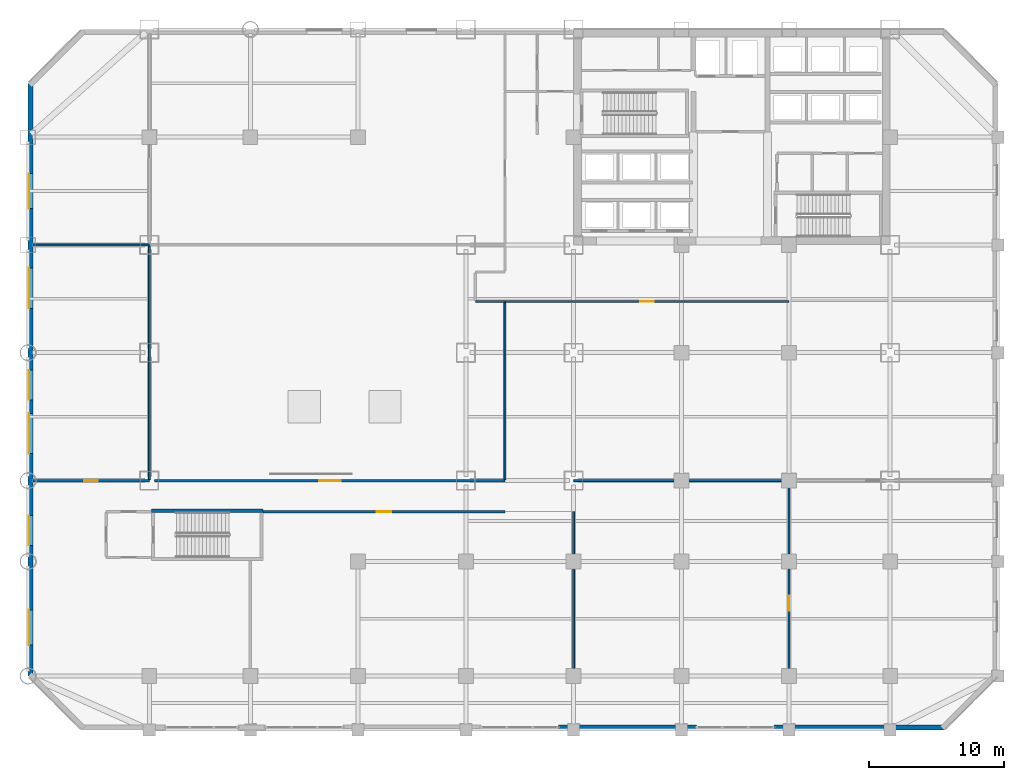
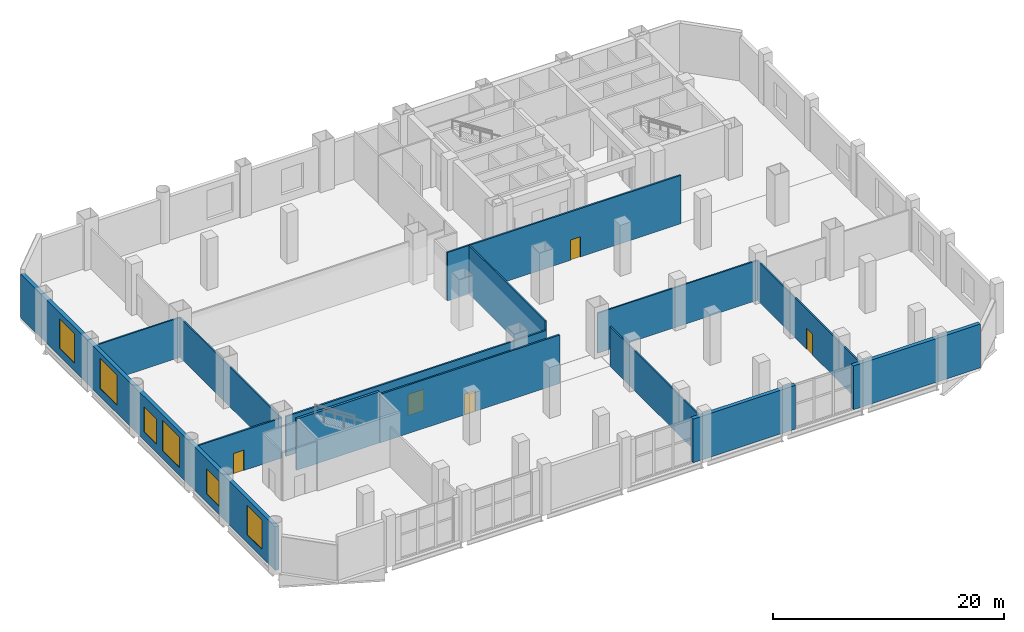
# One storey, part 11 of 18: 15 walls, 6 windows, 5 doors, 11 openings.
"""IFC4 building model written with IfcOpenShell, lengths in metres."""

from ifc_helpers import new_model, si_unit, direction, frame, frame_2d, origin, place, context, subcontext, project, spatial, rectangle, extrude, material, layer, layer_set, type_object, element, fill, save


model = new_model("IFC4")

# Units and contexts
model_context = context("Model", 3, precision=1e-05, world=origin(), true_north=direction((0.0, 1.0)))
body_context = subcontext(model_context, "Body", "Model", "MODEL_VIEW")
ifc_project = project(units=[si_unit("LENGTHUNIT", "METRE"), si_unit("AREAUNIT", "SQUARE_METRE"), si_unit("VOLUMEUNIT", "CUBIC_METRE"), si_unit("PLANEANGLEUNIT", "RADIAN"), si_unit("MASSUNIT", "GRAM", prefix="KILO")], contexts=[model_context])

# Site, building, storey
site_placement = place(None, origin())
site = spatial("IfcSite", under=ifc_project, at=site_placement, CompositionType="ELEMENT")
building_placement = place(site_placement, origin())
building = spatial("IfcBuilding", under=site, at=building_placement, Name="Qianrong Seaharbour Tower", CompositionType="ELEMENT")
storey_placement = place(building_placement, frame((0.0, 0.0, 6.0)))
storey = spatial("IfcBuildingStorey", under=building, at=storey_placement, Name="L02", CompositionType="ELEMENT", Elevation=6.0)

# Wall
ifc_material_1 = material(Name="Fire-rated acoustic gypsum board partition")
ifc_layer_1 = layer(ifc_material_1, 0.1650390625)
ifc_layer_set_1 = layer_set([ifc_layer_1], Name="Fire-rated acoustic gypsum board partition")
wall_type_1 = type_object("IfcWallType", Name="WALL-CORR-PART-165", PredefinedType="PARTITIONING", material=ifc_layer_set_1)
wall_1_placement = place(storey_placement, frame((35.39990234375, 31.800048828125, 0.0), z_axis=(0.0, 0.0, 1.0), x_axis=(-1.0, 0.0, 0.0)))
element("IfcWall", 1, at=wall_1_placement, inside=storey, type_object=wall_type_1, Name="L02 Interior Partition Wall 019", PredefinedType="PARTITIONING", context=body_context, shape_type="SweptSolid", body=[
    extrude(rectangle(XDim=2.199951171875, YDim=0.1650390625, at=frame_2d((1.10009765625, 0.0))), origin(), (0.0, 0.0, 1.0), 5.1201171875),
])

# Wall, opening, door
wall_2_placement = place(storey_placement, frame((56.5, 31.800048828125, 0.0), z_axis=(0.0, 0.0, 1.0), x_axis=(-1.0, 0.0, 0.0)))
wall_2 = element("IfcWall", 2, at=wall_2_placement, inside=storey, type_object=wall_type_1, Name="L02 Interior Partition Wall 022", PredefinedType="PARTITIONING", context=body_context, shape_type="SweptSolid", body=[
    extrude(rectangle(XDim=21.10009765625, YDim=0.1650390625, at=frame_2d((10.550048828125, 0.0))), origin(), (0.0, 0.0, 1.0), 5.1201171875),
])
opening_1_placement = place(wall_2_placement, frame((10.050048828125, 0.0, 0.0)))
opening_1 = element("IfcOpeningElement", 3, at=opening_1_placement, cuts=wall_2, Name="Opening DO-01", PredefinedType="OPENING", context=body_context, shape_type="SweptSolid", body=[
    extrude(rectangle(XDim=1.0, YDim=2.14990234375, at=frame_2d((0.5, 1.074951171875))), frame((0.0, 0.092529296875, 0.0), z_axis=(0.0, -1.0, 0.0), x_axis=(1.0, 0.0, 0.0)), (0.0, 0.0, 1.0), 0.18505859375),
])
ifc_material_2 = material(Name="Acoustic timber and galvanized steel fire door assembly", Category="steel")
door_type_1 = type_object("IfcDoorType", Name="DOOR-OFFICE-1000x2150", OperationType="NOTDEFINED", PredefinedType="DOOR", material=ifc_material_2)
door_1_placement = place(opening_1_placement, origin())
door_1 = element("IfcDoor", 4, at=door_1_placement, inside=storey, type_object=door_type_1, Name="L02 Harbour View Client Lounge Door", OperationType="SINGLE_SWING_RIGHT", OverallHeight=2.14990234375, OverallWidth=1.0, PredefinedType="DOOR", context=body_context, shape_type="SweptSolid", body=[
    extrude(rectangle(XDim=1.0, YDim=2.14990234375, at=frame_2d((0.5, 1.074951171875))), frame((0.0, 0.02490234375, 0.0), z_axis=(0.0, -1.0, 0.0), x_axis=(1.0, 0.0, 0.0)), (0.0, 0.0, 1.0), 0.050048828125),
])
fill(opening_1, door_1)

wall_3_placement = place(storey_placement, frame((9.39990234375, 18.5, 0.0), z_axis=(0.0, 0.0, 1.0), x_axis=(1.0, 0.0, 0.0)))
wall_3 = element("IfcWall", 5, at=wall_3_placement, inside=storey, type_object=wall_type_1, Name="L02 Interior Partition Wall 025", PredefinedType="PARTITIONING", context=body_context, shape_type="SweptSolid", body=[
    extrude(rectangle(XDim=26.0, YDim=0.1650390625, at=frame_2d((13.0, 0.0))), origin(), (0.0, 0.0, 1.0), 4.2119140625),
])
opening_2_placement = place(wall_3_placement, frame((12.199951171875, 0.0, 0.0)))
opening_2 = element("IfcOpeningElement", 6, at=opening_2_placement, cuts=wall_3, Name="Opening DL-01", PredefinedType="OPENING", context=body_context, shape_type="SweptSolid", body=[
    extrude(rectangle(XDim=1.60009765625, YDim=2.25, at=frame_2d((0.800048828125, 1.125))), frame((0.0, 0.092529296875, 0.0), z_axis=(0.0, -1.0, 0.0), x_axis=(1.0, 0.0, 0.0)), (0.0, 0.0, 1.0), 0.18505859375),
])
door_type_2 = type_object("IfcDoorType", Name="DOOR-LOBBY-PAIR-1600x2250", OperationType="DOUBLE_DOOR_SINGLE_SWING", PredefinedType="DOOR", material=ifc_material_2)
door_2_placement = place(opening_2_placement, origin())
door_2 = element("IfcDoor", 7, at=door_2_placement, inside=storey, type_object=door_type_2, Name="L02 Harbourside Cafe Door", OperationType="DOUBLE_DOOR_SINGLE_SWING", OverallHeight=2.25, OverallWidth=1.60009765625, PredefinedType="DOOR", context=body_context, shape_type="SweptSolid", body=[
    extrude(rectangle(XDim=1.60009765625, YDim=2.25, at=frame_2d((0.800048828125, 1.125))), frame((0.0, 0.02490234375, 0.0), z_axis=(0.0, -1.0, 0.0), x_axis=(1.0, 0.0, 0.0)), (0.0, 0.0, 1.0), 0.050048828125),
])
fill(opening_2, door_2)

wall_4_placement = place(storey_placement, frame((35.39990234375, 16.199951171875, 0.0), z_axis=(0.0, 0.0, 1.0), x_axis=(-1.0, 0.0, 0.0)))
wall_4 = element("IfcWall", 8, at=wall_4_placement, inside=storey, type_object=wall_type_1, Name="L02 Interior Partition Wall 026", PredefinedType="PARTITIONING", context=body_context, shape_type="SweptSolid", body=[
    extrude(rectangle(XDim=17.9599609375, YDim=0.1650390625, at=frame_2d((8.97998046875, 0.0))), origin(), (0.0, 0.0, 1.0), 5.1201171875),
])
opening_3_placement = place(wall_4_placement, frame((8.429931640625, 0.0, 0.0)))
opening_3 = element("IfcOpeningElement", 9, at=opening_3_placement, cuts=wall_4, Name="Opening DM-01", PredefinedType="OPENING", context=body_context, shape_type="SweptSolid", body=[
    extrude(rectangle(XDim=1.10009765625, YDim=2.199951171875, at=frame_2d((0.550048828125, 1.10009765625))), frame((0.0, 0.092529296875, 0.0), z_axis=(0.0, -1.0, 0.0), x_axis=(1.0, 0.0, 0.0)), (0.0, 0.0, 1.0), 0.18505859375),
])
door_type_3 = type_object("IfcDoorType", Name="DOOR-MEET-1100x2200", OperationType="NOTDEFINED", PredefinedType="DOOR", material=ifc_material_2)
door_3_placement = place(opening_3_placement, origin())
door_3 = element("IfcDoor", 10, at=door_3_placement, inside=storey, type_object=door_type_3, Name="L02 Maritime Conference Room Door", OperationType="SINGLE_SWING_LEFT", OverallHeight=2.199951171875, OverallWidth=1.10009765625, PredefinedType="DOOR", context=body_context, shape_type="SweptSolid", body=[
    extrude(rectangle(XDim=1.10009765625, YDim=2.199951171875, at=frame_2d((0.550048828125, 1.10009765625))), frame((0.0, 0.02490234375, 0.0), z_axis=(0.0, -1.0, 0.0), x_axis=(1.0, 0.0, 0.0)), (0.0, 0.0, 1.0), 0.050048828125),
])
fill(opening_3, door_3)

wall_5_placement = place(storey_placement, frame((9.0, 18.5, 0.0), z_axis=(0.0, 0.0, 1.0), x_axis=(-1.0, 0.0, 0.0)))
wall_5 = element("IfcWall", 11, at=wall_5_placement, inside=storey, type_object=wall_type_1, Name="L02 Interior Partition Wall 031", PredefinedType="PARTITIONING", context=body_context, shape_type="SweptSolid", body=[
    extrude(rectangle(XDim=8.6279296875, YDim=0.1650390625, at=frame_2d((4.31396484375, 0.0))), origin(), (0.0, 0.0, 1.0), 4.2119140625),
])
opening_4_placement = place(wall_5_placement, frame((3.81396484375, 0.0, 0.0)))
opening_4 = element("IfcOpeningElement", 12, at=opening_4_placement, cuts=wall_5, Name="Opening DO-01", PredefinedType="OPENING", context=body_context, shape_type="SweptSolid", body=[
    extrude(rectangle(XDim=1.0, YDim=2.14990234375, at=frame_2d((0.5, 1.074951171875))), frame((0.0, 0.092529296875, 0.0), z_axis=(0.0, -1.0, 0.0), x_axis=(1.0, 0.0, 0.0)), (0.0, 0.0, 1.0), 0.18505859375),
])
door_4_placement = place(opening_4_placement, origin())
door_4 = element("IfcDoor", 13, at=door_4_placement, inside=storey, type_object=door_type_1, Name="L02 Cafe Servery Kitchen Door", OperationType="SINGLE_SWING_RIGHT", OverallHeight=2.14990234375, OverallWidth=1.0, PredefinedType="DOOR", context=body_context, shape_type="SweptSolid", body=[
    extrude(rectangle(XDim=1.0, YDim=2.14990234375, at=frame_2d((0.5, 1.074951171875))), frame((0.0, 0.02490234375, 0.0), z_axis=(0.0, -1.0, 0.0), x_axis=(1.0, 0.0, 0.0)), (0.0, 0.0, 1.0), 0.050048828125),
])
fill(opening_4, door_4)

# Wall, openings, windows
ifc_material_3 = material(Name="Natural honed granite dimension stone", Category="masonry")
ifc_layer_2 = layer(ifc_material_3, 0.3798828125)
ifc_layer_set_2 = layer_set([ifc_layer_2], Name="Natural honed granite dimension stone")
wall_type_2 = type_object("IfcWallType", Name="WALL-EXT-GRANITE-380", PredefinedType="SOLIDWALL", material=ifc_layer_set_2)
wall_6_placement = place(storey_placement, frame((0.18994140625, 4.0, 0.0), z_axis=(0.0, 0.0, 1.0), x_axis=(0.0, 1.0, 0.0)))
wall_6 = element("IfcWall", 14, at=wall_6_placement, inside=storey, type_object=wall_type_2, Name="L02 Exterior Masonry Facade Wall WEST_TIP", PredefinedType="SOLIDWALL", context=body_context, shape_type="SweptSolid", body=[
    extrude(rectangle(XDim=44.0, YDim=0.3798828125, at=frame_2d((22.0, 0.0))), origin(), (0.0, 0.0, 1.0), 4.6201171875),
])
opening_5_placement = place(wall_6_placement, frame((2.300048828125, 0.0, 0.85009765625)))
opening_5 = element("IfcOpeningElement", 15, at=opening_5_placement, cuts=wall_6, Name="Opening WN-11", PredefinedType="OPENING", context=body_context, shape_type="SweptSolid", body=[
    extrude(rectangle(XDim=2.60009765625, YDim=3.10009765625, at=frame_2d((1.300048828125, 1.550048828125))), frame((0.0, 0.199951171875, 0.0), z_axis=(0.0, -1.0, 0.0), x_axis=(1.0, 0.0, 0.0)), (0.0, 0.0, 1.0), 0.39990234375),
])
opening_6_placement = place(wall_6_placement, frame((9.699951171875, 0.0, 0.89990234375)))
opening_6 = element("IfcOpeningElement", 16, at=opening_6_placement, cuts=wall_6, Name="Opening WN-10", PredefinedType="OPENING", context=body_context, shape_type="SweptSolid", body=[
    extrude(rectangle(XDim=2.199951171875, YDim=2.64990234375, at=frame_2d((1.10009765625, 1.324951171875))), frame((0.0, 0.199951171875, 0.0), z_axis=(0.0, -1.0, 0.0), x_axis=(1.0, 0.0, 0.0)), (0.0, 0.0, 1.0), 0.39990234375),
])
opening_7_placement = place(wall_6_placement, frame((16.5, 0.0, 0.85009765625)))
opening_7 = element("IfcOpeningElement", 17, at=opening_7_placement, cuts=wall_6, Name="Opening WN-12", PredefinedType="OPENING", context=body_context, shape_type="SweptSolid", body=[
    extrude(rectangle(XDim=3.0, YDim=3.199951171875, at=frame_2d((1.5, 1.60009765625))), frame((0.0, 0.199951171875, 0.0), z_axis=(0.0, -1.0, 0.0), x_axis=(1.0, 0.0, 0.0)), (0.0, 0.0, 1.0), 0.39990234375),
])
opening_8_placement = place(wall_6_placement, frame((20.5, 0.0, 0.89990234375)))
opening_8 = element("IfcOpeningElement", 18, at=opening_8_placement, cuts=wall_6, Name="Opening WN-10", PredefinedType="OPENING", context=body_context, shape_type="SweptSolid", body=[
    extrude(rectangle(XDim=2.199951171875, YDim=2.64990234375, at=frame_2d((1.10009765625, 1.324951171875))), frame((0.0, 0.199951171875, 0.0), z_axis=(0.0, -1.0, 0.0), x_axis=(1.0, 0.0, 0.0)), (0.0, 0.0, 1.0), 0.39990234375),
])
opening_9_placement = place(wall_6_placement, frame((27.300048828125, 0.0, 0.85009765625)))
opening_9 = element("IfcOpeningElement", 19, at=opening_9_placement, cuts=wall_6, Name="Opening WN-12", PredefinedType="OPENING", context=body_context, shape_type="SweptSolid", body=[
    extrude(rectangle(XDim=3.0, YDim=3.199951171875, at=frame_2d((1.5, 1.60009765625))), frame((0.0, 0.199951171875, 0.0), z_axis=(0.0, -1.0, 0.0), x_axis=(1.0, 0.0, 0.0)), (0.0, 0.0, 1.0), 0.39990234375),
])
opening_10_placement = place(wall_6_placement, frame((34.699951171875, 0.0, 0.85009765625)))
opening_10 = element("IfcOpeningElement", 20, at=opening_10_placement, cuts=wall_6, Name="Opening WN-11", PredefinedType="OPENING", context=body_context, shape_type="SweptSolid", body=[
    extrude(rectangle(XDim=2.60009765625, YDim=3.10009765625, at=frame_2d((1.300048828125, 1.550048828125))), frame((0.0, 0.199951171875, 0.0), z_axis=(0.0, -1.0, 0.0), x_axis=(1.0, 0.0, 0.0)), (0.0, 0.0, 1.0), 0.39990234375),
])
ifc_material_4 = material(Name="Insulated low-e double glazing in thermally broken aluminium 6063-T6 frame", Category="aluminium")
window_type_1 = type_object("IfcWindowType", Name="WIN-POD-2600x3100", PartitioningType="TRIPLE_PANEL_VERTICAL", PredefinedType="WINDOW", material=ifc_material_4)
window_1_placement = place(opening_5_placement, origin())
window_1 = element("IfcWindow", 21, at=window_1_placement, inside=storey, type_object=window_type_1, Name="L02 Deep-Set Punched Window 00.01", OverallHeight=3.10009765625, OverallWidth=2.60009765625, PartitioningType="TRIPLE_PANEL_VERTICAL", PredefinedType="WINDOW", context=body_context, shape_type="SweptSolid", body=[
    extrude(rectangle(XDim=2.60009765625, YDim=3.10009765625, at=frame_2d((1.300048828125, 1.550048828125))), frame((0.0, 0.150146484375, 0.0), z_axis=(0.0, -1.0, 0.0), x_axis=(1.0, 0.0, 0.0)), (0.0, 0.0, 1.0), 0.06005859375),
])
fill(opening_5, window_1)
window_2_placement = place(opening_10_placement, origin())
window_2 = element("IfcWindow", 22, at=window_2_placement, inside=storey, type_object=window_type_1, Name="L02 Deep-Set Punched Window 00.10", OverallHeight=3.10009765625, OverallWidth=2.60009765625, PartitioningType="TRIPLE_PANEL_VERTICAL", PredefinedType="WINDOW", context=body_context, shape_type="SweptSolid", body=[
    extrude(rectangle(XDim=2.60009765625, YDim=3.10009765625, at=frame_2d((1.300048828125, 1.550048828125))), frame((0.0, 0.150146484375, 0.0), z_axis=(0.0, -1.0, 0.0), x_axis=(1.0, 0.0, 0.0)), (0.0, 0.0, 1.0), 0.06005859375),
])
fill(opening_10, window_2)
window_type_2 = type_object("IfcWindowType", Name="WIN-POD-3000x3200", PartitioningType="TRIPLE_PANEL_VERTICAL", PredefinedType="WINDOW", material=ifc_material_4)
window_3_placement = place(opening_7_placement, origin())
window_3 = element("IfcWindow", 23, at=window_3_placement, inside=storey, type_object=window_type_2, Name="L02 Deep-Set Punched Window 00.05", OverallHeight=3.199951171875, OverallWidth=3.0, PartitioningType="TRIPLE_PANEL_VERTICAL", PredefinedType="WINDOW", context=body_context, shape_type="SweptSolid", body=[
    extrude(rectangle(XDim=3.0, YDim=3.199951171875, at=frame_2d((1.5, 1.60009765625))), frame((0.0, 0.150146484375, 0.0), z_axis=(0.0, -1.0, 0.0), x_axis=(1.0, 0.0, 0.0)), (0.0, 0.0, 1.0), 0.06005859375),
])
fill(opening_7, window_3)
window_4_placement = place(opening_9_placement, origin())
window_4 = element("IfcWindow", 24, at=window_4_placement, inside=storey, type_object=window_type_2, Name="L02 Deep-Set Punched Window 00.08", OverallHeight=3.199951171875, OverallWidth=3.0, PartitioningType="TRIPLE_PANEL_VERTICAL", PredefinedType="WINDOW", context=body_context, shape_type="SweptSolid", body=[
    extrude(rectangle(XDim=3.0, YDim=3.199951171875, at=frame_2d((1.5, 1.60009765625))), frame((0.0, 0.150146484375, 0.0), z_axis=(0.0, -1.0, 0.0), x_axis=(1.0, 0.0, 0.0)), (0.0, 0.0, 1.0), 0.06005859375),
])
fill(opening_9, window_4)
window_type_3 = type_object("IfcWindowType", Name="WIN-PUNCH-2200x2650", PartitioningType="TRIPLE_PANEL_VERTICAL", PredefinedType="WINDOW", material=ifc_material_4)
window_5_placement = place(opening_6_placement, origin())
window_5 = element("IfcWindow", 25, at=window_5_placement, inside=storey, type_object=window_type_3, Name="L02 Deep-Set Punched Window 00.03", OverallHeight=2.64990234375, OverallWidth=2.199951171875, PartitioningType="TRIPLE_PANEL_VERTICAL", PredefinedType="WINDOW", context=body_context, shape_type="SweptSolid", body=[
    extrude(rectangle(XDim=2.199951171875, YDim=2.64990234375, at=frame_2d((1.10009765625, 1.324951171875))), frame((0.0, 0.150146484375, 0.0), z_axis=(0.0, -1.0, 0.0), x_axis=(1.0, 0.0, 0.0)), (0.0, 0.0, 1.0), 0.06005859375),
])
fill(opening_6, window_5)
window_6_placement = place(opening_8_placement, origin())
window_6 = element("IfcWindow", 26, at=window_6_placement, inside=storey, type_object=window_type_3, Name="L02 Deep-Set Punched Window 00.06", OverallHeight=2.64990234375, OverallWidth=2.199951171875, PartitioningType="TRIPLE_PANEL_VERTICAL", PredefinedType="WINDOW", context=body_context, shape_type="SweptSolid", body=[
    extrude(rectangle(XDim=2.199951171875, YDim=2.64990234375, at=frame_2d((1.10009765625, 1.324951171875))), frame((0.0, 0.150146484375, 0.0), z_axis=(0.0, -1.0, 0.0), x_axis=(1.0, 0.0, 0.0)), (0.0, 0.0, 1.0), 0.06005859375),
])
fill(opening_8, window_6)

# Walls
wall_7_placement = place(storey_placement, frame((49.6201171875, 0.18994140625, 0.0), z_axis=(0.0, 0.0, 1.0), x_axis=(-1.0, 0.0, 0.0)))
element("IfcWall", 27, at=wall_7_placement, inside=storey, type_object=wall_type_2, Name="L02 Waterfront Podium Masonry Facade Pier 4", PredefinedType="SOLIDWALL", context=body_context, shape_type="SweptSolid", body=[
    extrude(rectangle(XDim=10.240234375, YDim=0.3798828125, at=frame_2d((5.1201171875, 0.0))), origin(), (0.0, 0.0, 1.0), 4.6201171875),
])
wall_8_placement = place(storey_placement, frame((68.050048828125, 0.18994140625, 0.0), z_axis=(0.0, 0.0, 1.0), x_axis=(-1.0, 0.0, 0.0)))
element("IfcWall", 28, at=wall_8_placement, inside=storey, type_object=wall_type_2, Name="L02 Waterfront Podium Masonry Facade Pier 5", PredefinedType="SOLIDWALL", context=body_context, shape_type="SweptSolid", body=[
    extrude(rectangle(XDim=12.670166015625, YDim=0.3798828125, at=frame_2d((6.3349609375, 0.0))), origin(), (0.0, 0.0, 1.0), 4.6201171875),
])
ifc_material_5 = material(Name="Acoustic gypsum board stud partition")
ifc_layer_3 = layer(ifc_material_5, 0.14501953125)
ifc_layer_set_3 = layer_set([ifc_layer_3], Name="Acoustic gypsum board stud partition")
wall_type_3 = type_object("IfcWallType", Name="WALL-OFFICE-PART-145", PredefinedType="PARTITIONING", material=ifc_layer_set_3)
wall_9_placement = place(storey_placement, frame((9.0, 18.574462890625, 0.0), z_axis=(0.0, 0.0, 1.0), x_axis=(0.0, 1.0, 0.0)))
element("IfcWall", 29, at=wall_9_placement, inside=storey, type_object=wall_type_3, Name="L02 Interior Partition Wall 027", PredefinedType="PARTITIONING", context=body_context, shape_type="SweptSolid", body=[
    extrude(rectangle(XDim=17.361083984375, YDim=0.14501953125, at=frame_2d((8.6806640625, 0.0))), origin(), (0.0, 0.0, 1.0), 4.2119140625),
])
wall_10_placement = place(storey_placement, frame((35.39990234375, 31.7255859375, 0.0), z_axis=(0.0, 0.0, 1.0), x_axis=(0.0, -1.0, 0.0)))
element("IfcWall", 30, at=wall_10_placement, inside=storey, type_object=wall_type_3, Name="L02 Interior Partition Wall 029", PredefinedType="PARTITIONING", context=body_context, shape_type="SweptSolid", body=[
    extrude(rectangle(XDim=13.151123046875, YDim=0.14501953125, at=frame_2d((6.57568359375, 0.0))), origin(), (0.0, 0.0, 1.0), 5.1201171875),
])
wall_11_placement = place(storey_placement, frame((0.3720703125, 36.0, 0.0), z_axis=(0.0, 0.0, 1.0), x_axis=(1.0, 0.0, 0.0)))
element("IfcWall", 31, at=wall_11_placement, inside=storey, type_object=wall_type_3, Name="L02 Interior Partition Wall 030", PredefinedType="PARTITIONING", context=body_context, shape_type="SweptSolid", body=[
    extrude(rectangle(XDim=8.6279296875, YDim=0.14501953125, at=frame_2d((4.31396484375, 0.0))), origin(), (0.0, 0.0, 1.0), 4.2119140625),
])
wall_12_placement = place(storey_placement, frame((56.5, 18.5, 0.0), z_axis=(0.0, 0.0, 1.0), x_axis=(-1.0, 0.0, 0.0)))
element("IfcWall", 32, at=wall_12_placement, inside=storey, type_object=wall_type_3, Name="L02 Interior Partition Wall 033", PredefinedType="PARTITIONING", context=body_context, shape_type="SweptSolid", body=[
    extrude(rectangle(XDim=16.0, YDim=0.14501953125, at=frame_2d((8.0, 0.0))), origin(), (0.0, 0.0, 1.0), 4.2119140625),
])
wall_13_placement = place(storey_placement, frame((40.5, 16.199951171875, 0.0), z_axis=(0.0, 0.0, 1.0), x_axis=(0.0, -1.0, 0.0)))
element("IfcWall", 33, at=wall_13_placement, inside=storey, type_object=wall_type_3, Name="L02 Interior Partition Wall 035", PredefinedType="PARTITIONING", context=body_context, shape_type="SweptSolid", body=[
    extrude(rectangle(XDim=15.827880859375, YDim=0.14501953125, at=frame_2d((7.9140625, 0.0))), origin(), (0.0, 0.0, 1.0), 4.2119140625),
])

# Wall, opening, door
wall_14_placement = place(storey_placement, frame((56.5, 18.435546875, 0.0), z_axis=(0.0, 0.0, 1.0), x_axis=(0.0, -1.0, 0.0)))
wall_14 = element("IfcWall", 34, at=wall_14_placement, inside=storey, type_object=wall_type_3, Name="L02 Interior Partition Wall 037", PredefinedType="PARTITIONING", context=body_context, shape_type="SweptSolid", body=[
    extrude(rectangle(XDim=18.0634765625, YDim=0.14501953125, at=frame_2d((9.03173828125, 0.0))), origin(), (0.0, 0.0, 1.0), 4.2119140625),
])
opening_11_placement = place(wall_14_placement, frame((8.481689453125, 0.0, 0.0)))
opening_11 = element("IfcOpeningElement", 35, at=opening_11_placement, cuts=wall_14, Name="Opening DM-01", PredefinedType="OPENING", context=body_context, shape_type="SweptSolid", body=[
    extrude(rectangle(XDim=1.10009765625, YDim=2.199951171875, at=frame_2d((0.550048828125, 1.10009765625))), frame((0.0, 0.08251953125, 0.0), z_axis=(0.0, -1.0, 0.0), x_axis=(1.0, 0.0, 0.0)), (0.0, 0.0, 1.0), 0.1650390625),
])
door_5_placement = place(opening_11_placement, origin())
door_5 = element("IfcDoor", 36, at=door_5_placement, inside=storey, type_object=door_type_3, Name="L02 Trade Delegation Briefing Room Door", OperationType="SINGLE_SWING_RIGHT", OverallHeight=2.199951171875, OverallWidth=1.10009765625, PredefinedType="DOOR", context=body_context, shape_type="SweptSolid", body=[
    extrude(rectangle(XDim=1.10009765625, YDim=2.199951171875, at=frame_2d((0.550048828125, 1.10009765625))), frame((0.0, 0.02490234375, 0.0), z_axis=(0.0, -1.0, 0.0), x_axis=(1.0, 0.0, 0.0)), (0.0, 0.0, 1.0), 0.050048828125),
])
fill(opening_11, door_5)

# Wall
ifc_material_6 = material(Name="Concrete C50/60", Category="concrete")
ifc_layer_4 = layer(ifc_material_6, 0.239990234375)
ifc_layer_set_4 = layer_set([ifc_layer_4], Name="Concrete C50/60")
wall_type_4 = type_object("IfcWallType", Name="WALL-SHAFT-RC240", PredefinedType="SOLIDWALL", material=ifc_layer_set_4)
wall_15_placement = place(storey_placement, frame((9.159912109375, 16.27001953125, 0.0), z_axis=(0.0, 0.0, 1.0), x_axis=(1.0, 0.0, 0.0)))
element("IfcWall", 37, at=wall_15_placement, inside=storey, type_object=wall_type_4, Name="L02 PST-3 Structural Stair Core Wall N", PredefinedType="SOLIDWALL", context=body_context, shape_type="SweptSolid", body=[
    extrude(rectangle(XDim=8.280029296875, YDim=0.239990234375, at=frame_2d((4.14013671875, 0.0))), origin(), (0.0, 0.0, 1.0), 5.39990234375),
])

save(model, "model.ifc")
